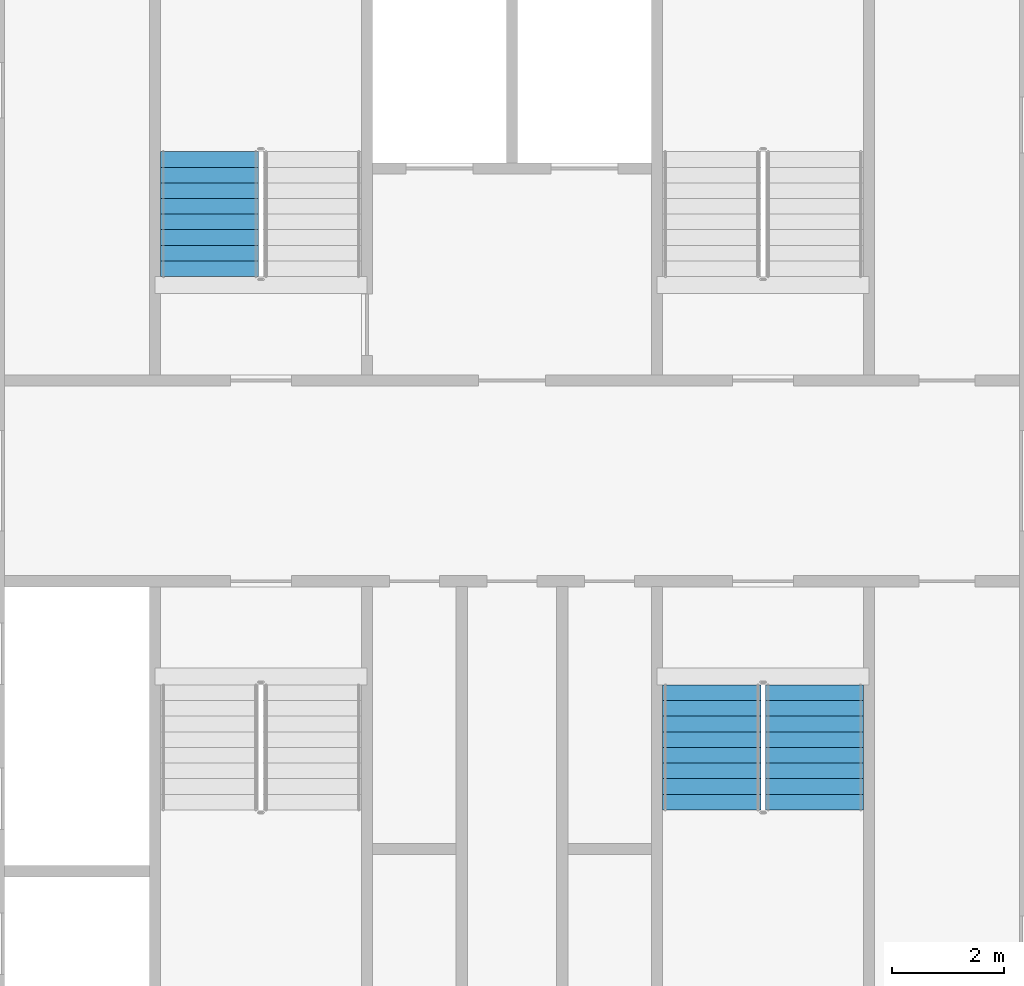
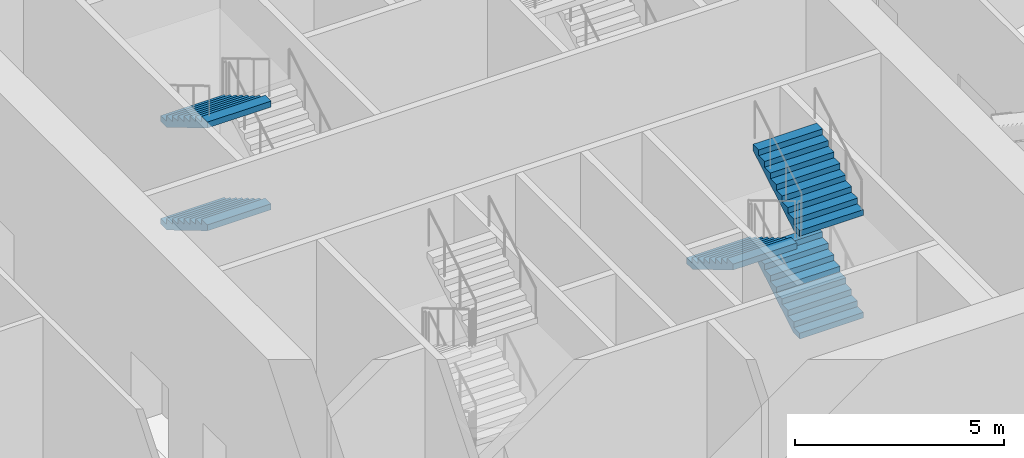
# One storey, part 32 of 48: 5 stair flights, 2 elements without a shape of their own.
"""IFC4 building model written with IfcOpenShell, lengths in metres."""

import ifcopenshell
import ifcopenshell.guid

model = None  # the IFC model being written
_history = None  # IfcOwnerHistory: only IFC2X3 demands one
_inside = {}  # id of a spatial element -> (the spatial element, [elements in it])
_under = {}  # id of a project, library or spatial element -> (it, [spatial elements below it])
_declared = {}  # id of a project -> (the project, [libraries it declares])
_typed = {}  # id of a type object -> (the type object, [elements of that type])
_made_of = {}  # id of a material, layer set ... -> (it, [elements and type objects made of it])


def new_model(schema):
    """Start an empty IFC model of exactly this schema.

    Asked for "IFC4X3", IfcOpenShell would pick the latest addendum, in which some entities
    have other attributes; the version numbers below select the first issue.
    IFC2X3 requires an IfcOwnerHistory on every rooted entity: one is made here for all.
    """
    global model, _history
    if schema == "IFC4X3":
        model = ifcopenshell.file(schema_version=(4, 3, 0, 0))
    else:
        model = ifcopenshell.file(schema=schema)
    _inside.clear()
    _under.clear()
    _declared.clear()
    _typed.clear()
    _made_of.clear()
    _history = None
    if model.schema == "IFC2X3":
        org = make("IfcOrganization", Name="unknown")
        user = make(
            "IfcPersonAndOrganization",
            ThePerson=make("IfcPerson", FamilyName="unknown"),
            TheOrganization=org,
        )
        app = make(
            "IfcApplication",
            ApplicationDeveloper=org,
            Version="unknown",
            ApplicationFullName="unknown",
            ApplicationIdentifier="unknown",
        )
        _history = make(
            "IfcOwnerHistory",
            OwningUser=user,
            OwningApplication=app,
            ChangeAction="ADDED",
            CreationDate=0,
        )
    return model


def make(cls, **values):
    """One entity of the class cls with the attributes given. An attribute that is None is left unset."""
    return model.create_entity(
        cls, **{name: value for name, value in values.items() if value is not None}
    )


def rooted(cls, **values):
    """An entity with a GlobalId (a new one), such as an element, a storey or a relation."""
    return make(cls, GlobalId=ifcopenshell.guid.new(), OwnerHistory=_history, **values)


def si_unit(unit_type, name, prefix=None):
    """IfcSIUnit, for example si_unit("LENGTHUNIT", "METRE", prefix="MILLI")."""
    return make("IfcSIUnit", UnitType=unit_type, Prefix=prefix, Name=name)


def assignment(units):
    """IfcUnitAssignment: the units of a project."""
    return None if units is None else make("IfcUnitAssignment", Units=units)


def point(xyz):
    """IfcCartesianPoint."""
    return None if xyz is None else make("IfcCartesianPoint", Coordinates=xyz)


def direction(xyz):
    """IfcDirection."""
    return None if xyz is None else make("IfcDirection", DirectionRatios=xyz)


def frame(location, z_axis=None, x_axis=None):
    """IfcAxis2Placement3D, a coordinate frame: its origin and axes. An axis left out is left unset."""
    return make(
        "IfcAxis2Placement3D",
        Location=point(location),
        Axis=direction(z_axis),
        RefDirection=direction(x_axis),
    )


def origin():
    """The frame at (0, 0, 0) with its axes left unset."""
    return frame((0.0, 0.0, 0.0))


def place(relative_to, where):
    """IfcLocalPlacement: puts the frame where relative to a parent placement (None: the world)."""
    return make(
        "IfcLocalPlacement", PlacementRelTo=relative_to, RelativePlacement=where
    )


def context(
    kind, dimensions, precision=None, world=None, true_north=None, identifier=None
):
    """IfcGeometricRepresentationContext, for example the 3D "Model" context."""
    return make(
        "IfcGeometricRepresentationContext",
        ContextIdentifier=identifier,
        ContextType=kind,
        CoordinateSpaceDimension=dimensions,
        Precision=precision,
        WorldCoordinateSystem=world,
        TrueNorth=true_north,
    )


def subcontext(parent, identifier, kind, view, scale=None):
    """IfcGeometricRepresentationSubContext, for example "Body" below "Model"."""
    return make(
        "IfcGeometricRepresentationSubContext",
        ContextIdentifier=identifier,
        ContextType=kind,
        ParentContext=parent,
        TargetScale=scale,
        TargetView=view,
    )


def project(units=None, contexts=None):
    """IfcProject with its units and contexts."""
    return rooted(
        "IfcProject",
        Name="project",
        RepresentationContexts=contexts,
        UnitsInContext=assignment(units),
    )


def spatial(cls, under=None, at=None, **own):
    """A site, building, storey or space (cls), placed at a placement, below another one or the project."""
    s = rooted(cls, ObjectPlacement=at, **own)
    if under is not None:
        _under.setdefault(under.id(), (under, []))[1].append(s)
    return s


def faces_of(points, faces, orient=None, outer=None):
    """IfcFace entities. A face is a list of loops; a loop is a list of indices into points, from 0.

    orient and outer hold one flag for each loop. By default every Orientation is true, the
    first loop of a face is its IfcFaceOuterBound and the others are IfcFaceBound.
    """
    made = []
    for i, loops in enumerate(faces):
        bounds = []
        for j, loop in enumerate(loops):
            is_outer = j == 0 if outer is None else outer[i][j]
            bounds.append(
                make(
                    "IfcFaceOuterBound" if is_outer else "IfcFaceBound",
                    Bound=make("IfcPolyLoop", Polygon=[points[k] for k in loop]),
                    Orientation=True if orient is None else orient[i][j],
                )
            )
        made.append(make("IfcFace", Bounds=bounds))
    return made


def faceted_brep(points, faces, orient=None, outer=None, voids=None):
    """IfcFacetedBrep: a solid bounded by flat faces; with voids (closed shells), ...WithVoids."""
    shared = [point(p) for p in points]
    hull = make("IfcClosedShell", CfsFaces=faces_of(shared, faces, orient, outer))
    if voids is None:
        return make("IfcFacetedBrep", Outer=hull)
    return make(
        "IfcFacetedBrepWithVoids",
        Outer=hull,
        Voids=[
            make(cls, CfsFaces=faces_of(shared, fs, o, b)) for cls, fs, o, b in voids
        ],
    )


def shape(context_of_items, identifier, shape_type, items):
    """IfcShapeRepresentation: the items that make up one representation, for example the "Body"."""
    return make(
        "IfcShapeRepresentation",
        ContextOfItems=context_of_items,
        RepresentationIdentifier=identifier,
        RepresentationType=shape_type,
        Items=items,
    )


def material(Name=None, Category=None):
    """IfcMaterial."""
    return make("IfcMaterial", Name=Name, Category=Category)


def made_of(thing, what):
    """Note that an element or type object is made of a material, layer set ...; save() writes the relation."""
    if what is not None:
        _made_of.setdefault(what.id(), (what, []))[1].append(thing)
    return thing


def type_object(cls, material=None, **own):
    """A type object (cls), such as IfcWallType, which elements share."""
    return made_of(rooted(cls, **own), material)


def element(
    cls,
    number,
    at=None,
    inside=None,
    cuts=None,
    type_object=None,
    material=None,
    context=None,
    identifier="Body",
    shape_type=None,
    held_by="IfcProductDefinitionShape",
    body=None,
    shapes=None,
    **own,
):
    """One element of the class cls, such as IfcWall. Its Tag is "e" and its number.

    at: its placement. inside: the storey or other place that contains it. cuts: it is an
    opening in that element (IfcRelVoidsElement). A single representation is given by context,
    identifier, shape_type and body (its items); several are given by shapes. held_by: the class
    of the entity that holds the representations. save() writes the other relations.
    """
    e = rooted(cls, Tag="e%d" % number, ObjectPlacement=at, **own)
    if body is not None:
        shapes = [shape(context, identifier, shape_type, body)]
    if shapes is not None:
        e.Representation = make(held_by, Representations=shapes)
    if inside is not None:
        _inside.setdefault(inside.id(), (inside, []))[1].append(e)
    if cuts is not None:
        rooted(
            "IfcRelVoidsElement", RelatingBuildingElement=cuts, RelatedOpeningElement=e
        )
    if type_object is not None:
        _typed.setdefault(type_object.id(), (type_object, []))[1].append(e)
    return made_of(e, material)


def aggregate(whole, parts):
    """IfcRelAggregates: a whole, such as a stair, and the parts it consists of."""
    return rooted("IfcRelAggregates", RelatingObject=whole, RelatedObjects=parts)


def save(model, path):
    """Write the relations noted so far, then the file.

    IfcRelAggregates (storeys below a building ...), IfcRelContainedInSpatialStructure (elements
    in a storey), IfcRelDefinesByType, IfcRelAssociatesMaterial and IfcRelDeclares: one each for
    every whole, place, type object, material and project.
    """
    for whole, parts in _under.values():
        aggregate(whole, parts)
    for where, things in _inside.values():
        rooted(
            "IfcRelContainedInSpatialStructure",
            RelatedElements=things,
            RelatingStructure=where,
        )
    for kind, things in _typed.values():
        rooted("IfcRelDefinesByType", RelatedObjects=things, RelatingType=kind)
    for what, things in _made_of.values():
        rooted("IfcRelAssociatesMaterial", RelatedObjects=things, RelatingMaterial=what)
    for by, libraries in _declared.values():
        rooted("IfcRelDeclares", RelatingContext=by, RelatedDefinitions=libraries)
    model.write(path)


model = new_model("IFC4")

# Units and contexts
model_context = context("Model", 3, precision=1e-05, world=origin(), true_north=direction((0.0, 1.0)))
body_context = subcontext(model_context, "Body", "Model", "MODEL_VIEW")
ifc_project = project(units=[si_unit("LENGTHUNIT", "METRE"), si_unit("AREAUNIT", "SQUARE_METRE"), si_unit("VOLUMEUNIT", "CUBIC_METRE"), si_unit("PLANEANGLEUNIT", "RADIAN"), si_unit("MASSUNIT", "GRAM", prefix="KILO")], contexts=[model_context])

# Site, building, storey
site_placement = place(None, origin())
site = spatial("IfcSite", under=ifc_project, at=site_placement, CompositionType="ELEMENT")
building_placement = place(site_placement, origin())
building = spatial("IfcBuilding", under=site, at=building_placement, Name="Tarsis Ring Headquarters", CompositionType="ELEMENT")
storey_placement = place(building_placement, frame((0.0, 0.0, 34.0)))
storey = spatial("IfcBuildingStorey", under=building, at=storey_placement, Name="L06", CompositionType="ELEMENT", Elevation=34.0)

# Stair, stair flights
ifc_material_1 = material(Name="Core stair 1760")
stair_type = type_object("IfcStairType", Name="Core stair 1760", PredefinedType="HALF_TURN_STAIR", material=ifc_material_1)
stair_1_placement = place(storey_placement, origin())
stair_1 = element("IfcStair", 1, at=stair_1_placement, inside=storey, type_object=stair_type, Name="L06 Firefighting stair", PredefinedType="HALF_TURN_STAIR")
ifc_material_2 = material(Name="Concrete C40/50", Category="concrete")
stair_flight_type = type_object("IfcStairFlightType", Name="Core stair flight 1760", PredefinedType="STRAIGHT", material=ifc_material_2)
stair_flight_1_placement = place(storey_placement, frame((-5.419921875, 5.89990234375, 1.5), z_axis=(0.0, 0.0, 1.0), x_axis=(0.0, -1.0, 0.0)))
stair_flight_1 = element("IfcStairFlight", 2, at=stair_flight_1_placement, type_object=stair_flight_type, Name="Stair ST1 flight 2", NumberOfRisers=9, NumberOfTreads=8, PredefinedType="STRAIGHT", RiserHeight=0.166666667, TreadLength=0.28, context=body_context, shape_type="Brep", body=[
    faceted_brep([(0.0, 0.8798828125, 0.0), (0.0, 0.8798828125, 0.166748046875), (0.280029296875, 0.8798828125, 0.166748046875), (0.280029296875, 0.8798828125, 0.333251953125), (0.56005859375, 0.8798828125, 0.333251953125), (0.56005859375, 0.8798828125, 0.5), (0.840087890625, 0.8798828125, 0.5), (0.840087890625, 0.8798828125, 0.666748046875), (1.1201171875, 0.8798828125, 0.666748046875), (1.1201171875, 0.8798828125, 0.833251953125), (1.39990234375, 0.8798828125, 0.833251953125), (1.39990234375, 0.8798828125, 1.0), (1.679931640625, 0.8798828125, 1.0), (1.679931640625, 0.8798828125, 1.166748046875), (1.9599609375, 0.8798828125, 1.166748046875), (1.9599609375, 0.8798828125, 1.333251953125), (2.239990234375, 0.8798828125, 1.333251953125), (2.239990234375, 0.8798828125, 1.158935546875), (0.29296875, 0.8798828125, 0.0), (0.29296875, -0.8798828125, 0.0), (2.239990234375, -0.8798828125, 1.158935546875), (2.239990234375, -0.8798828125, 1.333251953125), (1.9599609375, -0.8798828125, 1.333251953125), (1.9599609375, -0.8798828125, 1.166748046875), (1.679931640625, -0.8798828125, 1.166748046875), (1.679931640625, -0.8798828125, 1.0), (1.39990234375, -0.8798828125, 1.0), (1.39990234375, -0.8798828125, 0.833251953125), (1.1201171875, -0.8798828125, 0.833251953125), (1.1201171875, -0.8798828125, 0.666748046875), (0.840087890625, -0.8798828125, 0.666748046875), (0.840087890625, -0.8798828125, 0.5), (0.56005859375, -0.8798828125, 0.5), (0.56005859375, -0.8798828125, 0.333251953125), (0.280029296875, -0.8798828125, 0.333251953125), (0.280029296875, -0.8798828125, 0.166748046875), (0.0, -0.8798828125, 0.166748046875), (0.0, -0.8798828125, 0.0), (0.0, -0.43994140625, 0.166748046875), (0.0, -0.43994140625, 0.0), (0.0, 0.0, 0.166748046875), (0.0, 0.0, 0.0), (0.0, 0.43994140625, 0.166748046875), (0.0, 0.43994140625, 0.0), (0.280029296875, -0.43994140625, 0.166748046875), (0.280029296875, 0.0, 0.166748046875), (0.280029296875, 0.43994140625, 0.166748046875), (0.280029296875, -0.43994140625, 0.333251953125), (0.280029296875, 0.0, 0.333251953125), (0.280029296875, 0.43994140625, 0.333251953125), (0.56005859375, -0.43994140625, 0.333251953125), (0.56005859375, 0.0, 0.333251953125), (0.56005859375, 0.43994140625, 0.333251953125), (0.56005859375, -0.43994140625, 0.5), (0.56005859375, 0.0, 0.5), (0.56005859375, 0.43994140625, 0.5), (0.840087890625, -0.43994140625, 0.5), (0.840087890625, 0.0, 0.5), (0.840087890625, 0.43994140625, 0.5), (0.840087890625, -0.43994140625, 0.666748046875), (0.840087890625, 0.0, 0.666748046875), (0.840087890625, 0.43994140625, 0.666748046875), (1.1201171875, -0.43994140625, 0.666748046875), (1.1201171875, 0.0, 0.666748046875), (1.1201171875, 0.43994140625, 0.666748046875), (1.1201171875, -0.43994140625, 0.833251953125), (1.1201171875, 0.0, 0.833251953125), (1.1201171875, 0.43994140625, 0.833251953125), (1.39990234375, -0.43994140625, 0.833251953125), (1.39990234375, 0.0, 0.833251953125), (1.39990234375, 0.43994140625, 0.833251953125), (1.39990234375, -0.43994140625, 1.0), (1.39990234375, 0.0, 1.0), (1.39990234375, 0.43994140625, 1.0), (1.679931640625, -0.43994140625, 1.0), (1.679931640625, 0.0, 1.0), (1.679931640625, 0.43994140625, 1.0), (1.679931640625, -0.43994140625, 1.166748046875), (1.679931640625, 0.0, 1.166748046875), (1.679931640625, 0.43994140625, 1.166748046875), (1.9599609375, -0.43994140625, 1.166748046875), (1.9599609375, 0.0, 1.166748046875), (1.9599609375, 0.43994140625, 1.166748046875), (1.9599609375, -0.43994140625, 1.333251953125), (1.9599609375, 0.0, 1.333251953125), (1.9599609375, 0.43994140625, 1.333251953125), (2.239990234375, -0.43994140625, 1.333251953125), (2.239990234375, 0.0, 1.333251953125), (2.239990234375, 0.43994140625, 1.333251953125), (2.239990234375, -0.43994140625, 1.158935546875), (2.239990234375, 0.0, 1.158935546875), (2.239990234375, 0.43994140625, 1.158935546875), (0.29296875, -0.43994140625, 0.0), (0.29296875, 0.0, 0.0), (0.29296875, 0.43994140625, 0.0)], [[[0, 1, 2, 3, 4, 5, 6, 7, 8, 9, 10, 11, 12, 13, 14, 15, 16, 17, 18]], [[19, 20, 21, 22, 23, 24, 25, 26, 27, 28, 29, 30, 31, 32, 33, 34, 35, 36, 37]], [[37, 36, 38, 39]], [[39, 38, 40, 41]], [[41, 40, 42, 43]], [[43, 42, 1, 0]], [[36, 35, 44, 38]], [[38, 44, 45, 40]], [[40, 45, 46, 42]], [[42, 46, 2, 1]], [[35, 34, 47, 44]], [[44, 47, 48, 45]], [[45, 48, 49, 46]], [[46, 49, 3, 2]], [[34, 33, 50, 47]], [[47, 50, 51, 48]], [[48, 51, 52, 49]], [[49, 52, 4, 3]], [[33, 32, 53, 50]], [[50, 53, 54, 51]], [[51, 54, 55, 52]], [[52, 55, 5, 4]], [[32, 31, 56, 53]], [[53, 56, 57, 54]], [[54, 57, 58, 55]], [[55, 58, 6, 5]], [[31, 30, 59, 56]], [[56, 59, 60, 57]], [[57, 60, 61, 58]], [[58, 61, 7, 6]], [[30, 29, 62, 59]], [[59, 62, 63, 60]], [[60, 63, 64, 61]], [[61, 64, 8, 7]], [[29, 28, 65, 62]], [[62, 65, 66, 63]], [[63, 66, 67, 64]], [[64, 67, 9, 8]], [[28, 27, 68, 65]], [[65, 68, 69, 66]], [[66, 69, 70, 67]], [[67, 70, 10, 9]], [[27, 26, 71, 68]], [[68, 71, 72, 69]], [[69, 72, 73, 70]], [[70, 73, 11, 10]], [[26, 25, 74, 71]], [[71, 74, 75, 72]], [[72, 75, 76, 73]], [[73, 76, 12, 11]], [[25, 24, 77, 74]], [[74, 77, 78, 75]], [[75, 78, 79, 76]], [[76, 79, 13, 12]], [[24, 23, 80, 77]], [[77, 80, 81, 78]], [[78, 81, 82, 79]], [[79, 82, 14, 13]], [[23, 22, 83, 80]], [[80, 83, 84, 81]], [[81, 84, 85, 82]], [[82, 85, 15, 14]], [[22, 21, 86, 83]], [[83, 86, 87, 84]], [[84, 87, 88, 85]], [[85, 88, 16, 15]], [[21, 20, 89, 86]], [[86, 89, 90, 87]], [[87, 90, 91, 88]], [[88, 91, 17, 16]], [[20, 19, 92, 89]], [[89, 92, 93, 90]], [[90, 93, 94, 91]], [[91, 94, 18, 17]], [[19, 37, 39, 92]], [[92, 39, 41, 93]], [[93, 41, 43, 94]], [[94, 43, 0, 18]]]),
])
stair_flight_2_placement = place(storey_placement, frame((-5.419921875, 5.89990234375, 4.5), z_axis=(0.0, 0.0, 1.0), x_axis=(0.0, -1.0, 0.0)))
stair_flight_2 = element("IfcStairFlight", 3, at=stair_flight_2_placement, type_object=stair_flight_type, Name="Stair ST1 flight 4", NumberOfRisers=9, NumberOfTreads=8, PredefinedType="STRAIGHT", RiserHeight=0.166666667, TreadLength=0.28, context=body_context, shape_type="Brep", body=[
    faceted_brep([(0.0, 0.8798828125, 0.0), (0.0, 0.8798828125, 0.166748046875), (0.280029296875, 0.8798828125, 0.166748046875), (0.280029296875, 0.8798828125, 0.333251953125), (0.56005859375, 0.8798828125, 0.333251953125), (0.56005859375, 0.8798828125, 0.5), (0.840087890625, 0.8798828125, 0.5), (0.840087890625, 0.8798828125, 0.666748046875), (1.1201171875, 0.8798828125, 0.666748046875), (1.1201171875, 0.8798828125, 0.833251953125), (1.39990234375, 0.8798828125, 0.833251953125), (1.39990234375, 0.8798828125, 1.0), (1.679931640625, 0.8798828125, 1.0), (1.679931640625, 0.8798828125, 1.166748046875), (1.9599609375, 0.8798828125, 1.166748046875), (1.9599609375, 0.8798828125, 1.333251953125), (2.239990234375, 0.8798828125, 1.333251953125), (2.239990234375, 0.8798828125, 1.158935546875), (0.29296875, 0.8798828125, 0.0), (0.29296875, -0.8798828125, 0.0), (2.239990234375, -0.8798828125, 1.158935546875), (2.239990234375, -0.8798828125, 1.333251953125), (1.9599609375, -0.8798828125, 1.333251953125), (1.9599609375, -0.8798828125, 1.166748046875), (1.679931640625, -0.8798828125, 1.166748046875), (1.679931640625, -0.8798828125, 1.0), (1.39990234375, -0.8798828125, 1.0), (1.39990234375, -0.8798828125, 0.833251953125), (1.1201171875, -0.8798828125, 0.833251953125), (1.1201171875, -0.8798828125, 0.666748046875), (0.840087890625, -0.8798828125, 0.666748046875), (0.840087890625, -0.8798828125, 0.5), (0.56005859375, -0.8798828125, 0.5), (0.56005859375, -0.8798828125, 0.333251953125), (0.280029296875, -0.8798828125, 0.333251953125), (0.280029296875, -0.8798828125, 0.166748046875), (0.0, -0.8798828125, 0.166748046875), (0.0, -0.8798828125, 0.0), (0.0, -0.43994140625, 0.166748046875), (0.0, -0.43994140625, 0.0), (0.0, 0.0, 0.166748046875), (0.0, 0.0, 0.0), (0.0, 0.43994140625, 0.166748046875), (0.0, 0.43994140625, 0.0), (0.280029296875, -0.43994140625, 0.166748046875), (0.280029296875, 0.0, 0.166748046875), (0.280029296875, 0.43994140625, 0.166748046875), (0.280029296875, -0.43994140625, 0.333251953125), (0.280029296875, 0.0, 0.333251953125), (0.280029296875, 0.43994140625, 0.333251953125), (0.56005859375, -0.43994140625, 0.333251953125), (0.56005859375, 0.0, 0.333251953125), (0.56005859375, 0.43994140625, 0.333251953125), (0.56005859375, -0.43994140625, 0.5), (0.56005859375, 0.0, 0.5), (0.56005859375, 0.43994140625, 0.5), (0.840087890625, -0.43994140625, 0.5), (0.840087890625, 0.0, 0.5), (0.840087890625, 0.43994140625, 0.5), (0.840087890625, -0.43994140625, 0.666748046875), (0.840087890625, 0.0, 0.666748046875), (0.840087890625, 0.43994140625, 0.666748046875), (1.1201171875, -0.43994140625, 0.666748046875), (1.1201171875, 0.0, 0.666748046875), (1.1201171875, 0.43994140625, 0.666748046875), (1.1201171875, -0.43994140625, 0.833251953125), (1.1201171875, 0.0, 0.833251953125), (1.1201171875, 0.43994140625, 0.833251953125), (1.39990234375, -0.43994140625, 0.833251953125), (1.39990234375, 0.0, 0.833251953125), (1.39990234375, 0.43994140625, 0.833251953125), (1.39990234375, -0.43994140625, 1.0), (1.39990234375, 0.0, 1.0), (1.39990234375, 0.43994140625, 1.0), (1.679931640625, -0.43994140625, 1.0), (1.679931640625, 0.0, 1.0), (1.679931640625, 0.43994140625, 1.0), (1.679931640625, -0.43994140625, 1.166748046875), (1.679931640625, 0.0, 1.166748046875), (1.679931640625, 0.43994140625, 1.166748046875), (1.9599609375, -0.43994140625, 1.166748046875), (1.9599609375, 0.0, 1.166748046875), (1.9599609375, 0.43994140625, 1.166748046875), (1.9599609375, -0.43994140625, 1.333251953125), (1.9599609375, 0.0, 1.333251953125), (1.9599609375, 0.43994140625, 1.333251953125), (2.239990234375, -0.43994140625, 1.333251953125), (2.239990234375, 0.0, 1.333251953125), (2.239990234375, 0.43994140625, 1.333251953125), (2.239990234375, -0.43994140625, 1.158935546875), (2.239990234375, 0.0, 1.158935546875), (2.239990234375, 0.43994140625, 1.158935546875), (0.29296875, -0.43994140625, 0.0), (0.29296875, 0.0, 0.0), (0.29296875, 0.43994140625, 0.0)], [[[0, 1, 2, 3, 4, 5, 6, 7, 8, 9, 10, 11, 12, 13, 14, 15, 16, 17, 18]], [[19, 20, 21, 22, 23, 24, 25, 26, 27, 28, 29, 30, 31, 32, 33, 34, 35, 36, 37]], [[37, 36, 38, 39]], [[39, 38, 40, 41]], [[41, 40, 42, 43]], [[43, 42, 1, 0]], [[36, 35, 44, 38]], [[38, 44, 45, 40]], [[40, 45, 46, 42]], [[42, 46, 2, 1]], [[35, 34, 47, 44]], [[44, 47, 48, 45]], [[45, 48, 49, 46]], [[46, 49, 3, 2]], [[34, 33, 50, 47]], [[47, 50, 51, 48]], [[48, 51, 52, 49]], [[49, 52, 4, 3]], [[33, 32, 53, 50]], [[50, 53, 54, 51]], [[51, 54, 55, 52]], [[52, 55, 5, 4]], [[32, 31, 56, 53]], [[53, 56, 57, 54]], [[54, 57, 58, 55]], [[55, 58, 6, 5]], [[31, 30, 59, 56]], [[56, 59, 60, 57]], [[57, 60, 61, 58]], [[58, 61, 7, 6]], [[30, 29, 62, 59]], [[59, 62, 63, 60]], [[60, 63, 64, 61]], [[61, 64, 8, 7]], [[29, 28, 65, 62]], [[62, 65, 66, 63]], [[63, 66, 67, 64]], [[64, 67, 9, 8]], [[28, 27, 68, 65]], [[65, 68, 69, 66]], [[66, 69, 70, 67]], [[67, 70, 10, 9]], [[27, 26, 71, 68]], [[68, 71, 72, 69]], [[69, 72, 73, 70]], [[70, 73, 11, 10]], [[26, 25, 74, 71]], [[71, 74, 75, 72]], [[72, 75, 76, 73]], [[73, 76, 12, 11]], [[25, 24, 77, 74]], [[74, 77, 78, 75]], [[75, 78, 79, 76]], [[76, 79, 13, 12]], [[24, 23, 80, 77]], [[77, 80, 81, 78]], [[78, 81, 82, 79]], [[79, 82, 14, 13]], [[23, 22, 83, 80]], [[80, 83, 84, 81]], [[81, 84, 85, 82]], [[82, 85, 15, 14]], [[22, 21, 86, 83]], [[83, 86, 87, 84]], [[84, 87, 88, 85]], [[85, 88, 16, 15]], [[21, 20, 89, 86]], [[86, 89, 90, 87]], [[87, 90, 91, 88]], [[88, 91, 17, 16]], [[20, 19, 92, 89]], [[89, 92, 93, 90]], [[90, 93, 94, 91]], [[91, 94, 18, 17]], [[19, 37, 39, 92]], [[92, 39, 41, 93]], [[93, 41, 43, 94]], [[94, 43, 0, 18]]]),
])
aggregate(stair_1, [stair_flight_1, stair_flight_2])

stair_2_placement = place(storey_placement, origin())
stair_2 = element("IfcStair", 4, at=stair_2_placement, inside=storey, type_object=stair_type, Name="L06 Exit stair D", PredefinedType="HALF_TURN_STAIR")
stair_flight_3_placement = place(storey_placement, frame((5.419921875, -5.89990234375, 1.5), z_axis=(0.0, 0.0, 1.0), x_axis=(0.0, 1.0, 0.0)))
stair_flight_3 = element("IfcStairFlight", 5, at=stair_flight_3_placement, type_object=stair_flight_type, Name="Stair ST4 flight 2", NumberOfRisers=9, NumberOfTreads=8, PredefinedType="STRAIGHT", RiserHeight=0.166666667, TreadLength=0.28, context=body_context, shape_type="Brep", body=[
    faceted_brep([(0.0, 0.8798828125, 0.0), (0.0, 0.8798828125, 0.166748046875), (0.280029296875, 0.8798828125, 0.166748046875), (0.280029296875, 0.8798828125, 0.333251953125), (0.56005859375, 0.8798828125, 0.333251953125), (0.56005859375, 0.8798828125, 0.5), (0.840087890625, 0.8798828125, 0.5), (0.840087890625, 0.8798828125, 0.666748046875), (1.1201171875, 0.8798828125, 0.666748046875), (1.1201171875, 0.8798828125, 0.833251953125), (1.39990234375, 0.8798828125, 0.833251953125), (1.39990234375, 0.8798828125, 1.0), (1.679931640625, 0.8798828125, 1.0), (1.679931640625, 0.8798828125, 1.166748046875), (1.9599609375, 0.8798828125, 1.166748046875), (1.9599609375, 0.8798828125, 1.333251953125), (2.239990234375, 0.8798828125, 1.333251953125), (2.239990234375, 0.8798828125, 1.158935546875), (0.29296875, 0.8798828125, 0.0), (0.29296875, -0.8798828125, 0.0), (2.239990234375, -0.8798828125, 1.158935546875), (2.239990234375, -0.8798828125, 1.333251953125), (1.9599609375, -0.8798828125, 1.333251953125), (1.9599609375, -0.8798828125, 1.166748046875), (1.679931640625, -0.8798828125, 1.166748046875), (1.679931640625, -0.8798828125, 1.0), (1.39990234375, -0.8798828125, 1.0), (1.39990234375, -0.8798828125, 0.833251953125), (1.1201171875, -0.8798828125, 0.833251953125), (1.1201171875, -0.8798828125, 0.666748046875), (0.840087890625, -0.8798828125, 0.666748046875), (0.840087890625, -0.8798828125, 0.5), (0.56005859375, -0.8798828125, 0.5), (0.56005859375, -0.8798828125, 0.333251953125), (0.280029296875, -0.8798828125, 0.333251953125), (0.280029296875, -0.8798828125, 0.166748046875), (0.0, -0.8798828125, 0.166748046875), (0.0, -0.8798828125, 0.0), (0.0, -0.43994140625, 0.166748046875), (0.0, -0.43994140625, 0.0), (0.0, 0.0, 0.166748046875), (0.0, 0.0, 0.0), (0.0, 0.43994140625, 0.166748046875), (0.0, 0.43994140625, 0.0), (0.280029296875, -0.43994140625, 0.166748046875), (0.280029296875, 0.0, 0.166748046875), (0.280029296875, 0.43994140625, 0.166748046875), (0.280029296875, -0.43994140625, 0.333251953125), (0.280029296875, 0.0, 0.333251953125), (0.280029296875, 0.43994140625, 0.333251953125), (0.56005859375, -0.43994140625, 0.333251953125), (0.56005859375, 0.0, 0.333251953125), (0.56005859375, 0.43994140625, 0.333251953125), (0.56005859375, -0.43994140625, 0.5), (0.56005859375, 0.0, 0.5), (0.56005859375, 0.43994140625, 0.5), (0.840087890625, -0.43994140625, 0.5), (0.840087890625, 0.0, 0.5), (0.840087890625, 0.43994140625, 0.5), (0.840087890625, -0.43994140625, 0.666748046875), (0.840087890625, 0.0, 0.666748046875), (0.840087890625, 0.43994140625, 0.666748046875), (1.1201171875, -0.43994140625, 0.666748046875), (1.1201171875, 0.0, 0.666748046875), (1.1201171875, 0.43994140625, 0.666748046875), (1.1201171875, -0.43994140625, 0.833251953125), (1.1201171875, 0.0, 0.833251953125), (1.1201171875, 0.43994140625, 0.833251953125), (1.39990234375, -0.43994140625, 0.833251953125), (1.39990234375, 0.0, 0.833251953125), (1.39990234375, 0.43994140625, 0.833251953125), (1.39990234375, -0.43994140625, 1.0), (1.39990234375, 0.0, 1.0), (1.39990234375, 0.43994140625, 1.0), (1.679931640625, -0.43994140625, 1.0), (1.679931640625, 0.0, 1.0), (1.679931640625, 0.43994140625, 1.0), (1.679931640625, -0.43994140625, 1.166748046875), (1.679931640625, 0.0, 1.166748046875), (1.679931640625, 0.43994140625, 1.166748046875), (1.9599609375, -0.43994140625, 1.166748046875), (1.9599609375, 0.0, 1.166748046875), (1.9599609375, 0.43994140625, 1.166748046875), (1.9599609375, -0.43994140625, 1.333251953125), (1.9599609375, 0.0, 1.333251953125), (1.9599609375, 0.43994140625, 1.333251953125), (2.239990234375, -0.43994140625, 1.333251953125), (2.239990234375, 0.0, 1.333251953125), (2.239990234375, 0.43994140625, 1.333251953125), (2.239990234375, -0.43994140625, 1.158935546875), (2.239990234375, 0.0, 1.158935546875), (2.239990234375, 0.43994140625, 1.158935546875), (0.29296875, -0.43994140625, 0.0), (0.29296875, 0.0, 0.0), (0.29296875, 0.43994140625, 0.0)], [[[0, 1, 2, 3, 4, 5, 6, 7, 8, 9, 10, 11, 12, 13, 14, 15, 16, 17, 18]], [[19, 20, 21, 22, 23, 24, 25, 26, 27, 28, 29, 30, 31, 32, 33, 34, 35, 36, 37]], [[37, 36, 38, 39]], [[39, 38, 40, 41]], [[41, 40, 42, 43]], [[43, 42, 1, 0]], [[36, 35, 44, 38]], [[38, 44, 45, 40]], [[40, 45, 46, 42]], [[42, 46, 2, 1]], [[35, 34, 47, 44]], [[44, 47, 48, 45]], [[45, 48, 49, 46]], [[46, 49, 3, 2]], [[34, 33, 50, 47]], [[47, 50, 51, 48]], [[48, 51, 52, 49]], [[49, 52, 4, 3]], [[33, 32, 53, 50]], [[50, 53, 54, 51]], [[51, 54, 55, 52]], [[52, 55, 5, 4]], [[32, 31, 56, 53]], [[53, 56, 57, 54]], [[54, 57, 58, 55]], [[55, 58, 6, 5]], [[31, 30, 59, 56]], [[56, 59, 60, 57]], [[57, 60, 61, 58]], [[58, 61, 7, 6]], [[30, 29, 62, 59]], [[59, 62, 63, 60]], [[60, 63, 64, 61]], [[61, 64, 8, 7]], [[29, 28, 65, 62]], [[62, 65, 66, 63]], [[63, 66, 67, 64]], [[64, 67, 9, 8]], [[28, 27, 68, 65]], [[65, 68, 69, 66]], [[66, 69, 70, 67]], [[67, 70, 10, 9]], [[27, 26, 71, 68]], [[68, 71, 72, 69]], [[69, 72, 73, 70]], [[70, 73, 11, 10]], [[26, 25, 74, 71]], [[71, 74, 75, 72]], [[72, 75, 76, 73]], [[73, 76, 12, 11]], [[25, 24, 77, 74]], [[74, 77, 78, 75]], [[75, 78, 79, 76]], [[76, 79, 13, 12]], [[24, 23, 80, 77]], [[77, 80, 81, 78]], [[78, 81, 82, 79]], [[79, 82, 14, 13]], [[23, 22, 83, 80]], [[80, 83, 84, 81]], [[81, 84, 85, 82]], [[82, 85, 15, 14]], [[22, 21, 86, 83]], [[83, 86, 87, 84]], [[84, 87, 88, 85]], [[85, 88, 16, 15]], [[21, 20, 89, 86]], [[86, 89, 90, 87]], [[87, 90, 91, 88]], [[88, 91, 17, 16]], [[20, 19, 92, 89]], [[89, 92, 93, 90]], [[90, 93, 94, 91]], [[91, 94, 18, 17]], [[19, 37, 39, 92]], [[92, 39, 41, 93]], [[93, 41, 43, 94]], [[94, 43, 0, 18]]]),
])
stair_flight_4_placement = place(storey_placement, frame((3.580078125, -3.659912109375, 3.0), z_axis=(0.0, 0.0, 1.0), x_axis=(0.0, -1.0, 0.0)))
stair_flight_4 = element("IfcStairFlight", 6, at=stair_flight_4_placement, type_object=stair_flight_type, Name="Stair ST4 flight 3", NumberOfRisers=9, NumberOfTreads=8, PredefinedType="STRAIGHT", RiserHeight=0.166666667, TreadLength=0.28, context=body_context, shape_type="Brep", body=[
    faceted_brep([(0.0, 0.8798828125, 0.0), (0.0, 0.8798828125, 0.166748046875), (0.280029296875, 0.8798828125, 0.166748046875), (0.280029296875, 0.8798828125, 0.333251953125), (0.56005859375, 0.8798828125, 0.333251953125), (0.56005859375, 0.8798828125, 0.5), (0.840087890625, 0.8798828125, 0.5), (0.840087890625, 0.8798828125, 0.666748046875), (1.1201171875, 0.8798828125, 0.666748046875), (1.1201171875, 0.8798828125, 0.833251953125), (1.39990234375, 0.8798828125, 0.833251953125), (1.39990234375, 0.8798828125, 1.0), (1.679931640625, 0.8798828125, 1.0), (1.679931640625, 0.8798828125, 1.166748046875), (1.9599609375, 0.8798828125, 1.166748046875), (1.9599609375, 0.8798828125, 1.333251953125), (2.239990234375, 0.8798828125, 1.333251953125), (2.239990234375, 0.8798828125, 1.158935546875), (0.29296875, 0.8798828125, 0.0), (0.29296875, -0.8798828125, 0.0), (2.239990234375, -0.8798828125, 1.158935546875), (2.239990234375, -0.8798828125, 1.333251953125), (1.9599609375, -0.8798828125, 1.333251953125), (1.9599609375, -0.8798828125, 1.166748046875), (1.679931640625, -0.8798828125, 1.166748046875), (1.679931640625, -0.8798828125, 1.0), (1.39990234375, -0.8798828125, 1.0), (1.39990234375, -0.8798828125, 0.833251953125), (1.1201171875, -0.8798828125, 0.833251953125), (1.1201171875, -0.8798828125, 0.666748046875), (0.840087890625, -0.8798828125, 0.666748046875), (0.840087890625, -0.8798828125, 0.5), (0.56005859375, -0.8798828125, 0.5), (0.56005859375, -0.8798828125, 0.333251953125), (0.280029296875, -0.8798828125, 0.333251953125), (0.280029296875, -0.8798828125, 0.166748046875), (0.0, -0.8798828125, 0.166748046875), (0.0, -0.8798828125, 0.0), (0.0, -0.43994140625, 0.166748046875), (0.0, -0.43994140625, 0.0), (0.0, 0.0, 0.166748046875), (0.0, 0.0, 0.0), (0.0, 0.43994140625, 0.166748046875), (0.0, 0.43994140625, 0.0), (0.280029296875, -0.43994140625, 0.166748046875), (0.280029296875, 0.0, 0.166748046875), (0.280029296875, 0.43994140625, 0.166748046875), (0.280029296875, -0.43994140625, 0.333251953125), (0.280029296875, 0.0, 0.333251953125), (0.280029296875, 0.43994140625, 0.333251953125), (0.56005859375, -0.43994140625, 0.333251953125), (0.56005859375, 0.0, 0.333251953125), (0.56005859375, 0.43994140625, 0.333251953125), (0.56005859375, -0.43994140625, 0.5), (0.56005859375, 0.0, 0.5), (0.56005859375, 0.43994140625, 0.5), (0.840087890625, -0.43994140625, 0.5), (0.840087890625, 0.0, 0.5), (0.840087890625, 0.43994140625, 0.5), (0.840087890625, -0.43994140625, 0.666748046875), (0.840087890625, 0.0, 0.666748046875), (0.840087890625, 0.43994140625, 0.666748046875), (1.1201171875, -0.43994140625, 0.666748046875), (1.1201171875, 0.0, 0.666748046875), (1.1201171875, 0.43994140625, 0.666748046875), (1.1201171875, -0.43994140625, 0.833251953125), (1.1201171875, 0.0, 0.833251953125), (1.1201171875, 0.43994140625, 0.833251953125), (1.39990234375, -0.43994140625, 0.833251953125), (1.39990234375, 0.0, 0.833251953125), (1.39990234375, 0.43994140625, 0.833251953125), (1.39990234375, -0.43994140625, 1.0), (1.39990234375, 0.0, 1.0), (1.39990234375, 0.43994140625, 1.0), (1.679931640625, -0.43994140625, 1.0), (1.679931640625, 0.0, 1.0), (1.679931640625, 0.43994140625, 1.0), (1.679931640625, -0.43994140625, 1.166748046875), (1.679931640625, 0.0, 1.166748046875), (1.679931640625, 0.43994140625, 1.166748046875), (1.9599609375, -0.43994140625, 1.166748046875), (1.9599609375, 0.0, 1.166748046875), (1.9599609375, 0.43994140625, 1.166748046875), (1.9599609375, -0.43994140625, 1.333251953125), (1.9599609375, 0.0, 1.333251953125), (1.9599609375, 0.43994140625, 1.333251953125), (2.239990234375, -0.43994140625, 1.333251953125), (2.239990234375, 0.0, 1.333251953125), (2.239990234375, 0.43994140625, 1.333251953125), (2.239990234375, -0.43994140625, 1.158935546875), (2.239990234375, 0.0, 1.158935546875), (2.239990234375, 0.43994140625, 1.158935546875), (0.29296875, -0.43994140625, 0.0), (0.29296875, 0.0, 0.0), (0.29296875, 0.43994140625, 0.0)], [[[0, 1, 2, 3, 4, 5, 6, 7, 8, 9, 10, 11, 12, 13, 14, 15, 16, 17, 18]], [[19, 20, 21, 22, 23, 24, 25, 26, 27, 28, 29, 30, 31, 32, 33, 34, 35, 36, 37]], [[37, 36, 38, 39]], [[39, 38, 40, 41]], [[41, 40, 42, 43]], [[43, 42, 1, 0]], [[36, 35, 44, 38]], [[38, 44, 45, 40]], [[40, 45, 46, 42]], [[42, 46, 2, 1]], [[35, 34, 47, 44]], [[44, 47, 48, 45]], [[45, 48, 49, 46]], [[46, 49, 3, 2]], [[34, 33, 50, 47]], [[47, 50, 51, 48]], [[48, 51, 52, 49]], [[49, 52, 4, 3]], [[33, 32, 53, 50]], [[50, 53, 54, 51]], [[51, 54, 55, 52]], [[52, 55, 5, 4]], [[32, 31, 56, 53]], [[53, 56, 57, 54]], [[54, 57, 58, 55]], [[55, 58, 6, 5]], [[31, 30, 59, 56]], [[56, 59, 60, 57]], [[57, 60, 61, 58]], [[58, 61, 7, 6]], [[30, 29, 62, 59]], [[59, 62, 63, 60]], [[60, 63, 64, 61]], [[61, 64, 8, 7]], [[29, 28, 65, 62]], [[62, 65, 66, 63]], [[63, 66, 67, 64]], [[64, 67, 9, 8]], [[28, 27, 68, 65]], [[65, 68, 69, 66]], [[66, 69, 70, 67]], [[67, 70, 10, 9]], [[27, 26, 71, 68]], [[68, 71, 72, 69]], [[69, 72, 73, 70]], [[70, 73, 11, 10]], [[26, 25, 74, 71]], [[71, 74, 75, 72]], [[72, 75, 76, 73]], [[73, 76, 12, 11]], [[25, 24, 77, 74]], [[74, 77, 78, 75]], [[75, 78, 79, 76]], [[76, 79, 13, 12]], [[24, 23, 80, 77]], [[77, 80, 81, 78]], [[78, 81, 82, 79]], [[79, 82, 14, 13]], [[23, 22, 83, 80]], [[80, 83, 84, 81]], [[81, 84, 85, 82]], [[82, 85, 15, 14]], [[22, 21, 86, 83]], [[83, 86, 87, 84]], [[84, 87, 88, 85]], [[85, 88, 16, 15]], [[21, 20, 89, 86]], [[86, 89, 90, 87]], [[87, 90, 91, 88]], [[88, 91, 17, 16]], [[20, 19, 92, 89]], [[89, 92, 93, 90]], [[90, 93, 94, 91]], [[91, 94, 18, 17]], [[19, 37, 39, 92]], [[92, 39, 41, 93]], [[93, 41, 43, 94]], [[94, 43, 0, 18]]]),
])
stair_flight_5_placement = place(storey_placement, frame((5.419921875, -5.89990234375, 4.5), z_axis=(0.0, 0.0, 1.0), x_axis=(0.0, 1.0, 0.0)))
stair_flight_5 = element("IfcStairFlight", 7, at=stair_flight_5_placement, type_object=stair_flight_type, Name="Stair ST4 flight 4", NumberOfRisers=9, NumberOfTreads=8, PredefinedType="STRAIGHT", RiserHeight=0.166666667, TreadLength=0.28, context=body_context, shape_type="Brep", body=[
    faceted_brep([(0.0, 0.8798828125, 0.0), (0.0, 0.8798828125, 0.166748046875), (0.280029296875, 0.8798828125, 0.166748046875), (0.280029296875, 0.8798828125, 0.333251953125), (0.56005859375, 0.8798828125, 0.333251953125), (0.56005859375, 0.8798828125, 0.5), (0.840087890625, 0.8798828125, 0.5), (0.840087890625, 0.8798828125, 0.666748046875), (1.1201171875, 0.8798828125, 0.666748046875), (1.1201171875, 0.8798828125, 0.833251953125), (1.39990234375, 0.8798828125, 0.833251953125), (1.39990234375, 0.8798828125, 1.0), (1.679931640625, 0.8798828125, 1.0), (1.679931640625, 0.8798828125, 1.166748046875), (1.9599609375, 0.8798828125, 1.166748046875), (1.9599609375, 0.8798828125, 1.333251953125), (2.239990234375, 0.8798828125, 1.333251953125), (2.239990234375, 0.8798828125, 1.158935546875), (0.29296875, 0.8798828125, 0.0), (0.29296875, -0.8798828125, 0.0), (2.239990234375, -0.8798828125, 1.158935546875), (2.239990234375, -0.8798828125, 1.333251953125), (1.9599609375, -0.8798828125, 1.333251953125), (1.9599609375, -0.8798828125, 1.166748046875), (1.679931640625, -0.8798828125, 1.166748046875), (1.679931640625, -0.8798828125, 1.0), (1.39990234375, -0.8798828125, 1.0), (1.39990234375, -0.8798828125, 0.833251953125), (1.1201171875, -0.8798828125, 0.833251953125), (1.1201171875, -0.8798828125, 0.666748046875), (0.840087890625, -0.8798828125, 0.666748046875), (0.840087890625, -0.8798828125, 0.5), (0.56005859375, -0.8798828125, 0.5), (0.56005859375, -0.8798828125, 0.333251953125), (0.280029296875, -0.8798828125, 0.333251953125), (0.280029296875, -0.8798828125, 0.166748046875), (0.0, -0.8798828125, 0.166748046875), (0.0, -0.8798828125, 0.0), (0.0, -0.43994140625, 0.166748046875), (0.0, -0.43994140625, 0.0), (0.0, 0.0, 0.166748046875), (0.0, 0.0, 0.0), (0.0, 0.43994140625, 0.166748046875), (0.0, 0.43994140625, 0.0), (0.280029296875, -0.43994140625, 0.166748046875), (0.280029296875, 0.0, 0.166748046875), (0.280029296875, 0.43994140625, 0.166748046875), (0.280029296875, -0.43994140625, 0.333251953125), (0.280029296875, 0.0, 0.333251953125), (0.280029296875, 0.43994140625, 0.333251953125), (0.56005859375, -0.43994140625, 0.333251953125), (0.56005859375, 0.0, 0.333251953125), (0.56005859375, 0.43994140625, 0.333251953125), (0.56005859375, -0.43994140625, 0.5), (0.56005859375, 0.0, 0.5), (0.56005859375, 0.43994140625, 0.5), (0.840087890625, -0.43994140625, 0.5), (0.840087890625, 0.0, 0.5), (0.840087890625, 0.43994140625, 0.5), (0.840087890625, -0.43994140625, 0.666748046875), (0.840087890625, 0.0, 0.666748046875), (0.840087890625, 0.43994140625, 0.666748046875), (1.1201171875, -0.43994140625, 0.666748046875), (1.1201171875, 0.0, 0.666748046875), (1.1201171875, 0.43994140625, 0.666748046875), (1.1201171875, -0.43994140625, 0.833251953125), (1.1201171875, 0.0, 0.833251953125), (1.1201171875, 0.43994140625, 0.833251953125), (1.39990234375, -0.43994140625, 0.833251953125), (1.39990234375, 0.0, 0.833251953125), (1.39990234375, 0.43994140625, 0.833251953125), (1.39990234375, -0.43994140625, 1.0), (1.39990234375, 0.0, 1.0), (1.39990234375, 0.43994140625, 1.0), (1.679931640625, -0.43994140625, 1.0), (1.679931640625, 0.0, 1.0), (1.679931640625, 0.43994140625, 1.0), (1.679931640625, -0.43994140625, 1.166748046875), (1.679931640625, 0.0, 1.166748046875), (1.679931640625, 0.43994140625, 1.166748046875), (1.9599609375, -0.43994140625, 1.166748046875), (1.9599609375, 0.0, 1.166748046875), (1.9599609375, 0.43994140625, 1.166748046875), (1.9599609375, -0.43994140625, 1.333251953125), (1.9599609375, 0.0, 1.333251953125), (1.9599609375, 0.43994140625, 1.333251953125), (2.239990234375, -0.43994140625, 1.333251953125), (2.239990234375, 0.0, 1.333251953125), (2.239990234375, 0.43994140625, 1.333251953125), (2.239990234375, -0.43994140625, 1.158935546875), (2.239990234375, 0.0, 1.158935546875), (2.239990234375, 0.43994140625, 1.158935546875), (0.29296875, -0.43994140625, 0.0), (0.29296875, 0.0, 0.0), (0.29296875, 0.43994140625, 0.0)], [[[0, 1, 2, 3, 4, 5, 6, 7, 8, 9, 10, 11, 12, 13, 14, 15, 16, 17, 18]], [[19, 20, 21, 22, 23, 24, 25, 26, 27, 28, 29, 30, 31, 32, 33, 34, 35, 36, 37]], [[37, 36, 38, 39]], [[39, 38, 40, 41]], [[41, 40, 42, 43]], [[43, 42, 1, 0]], [[36, 35, 44, 38]], [[38, 44, 45, 40]], [[40, 45, 46, 42]], [[42, 46, 2, 1]], [[35, 34, 47, 44]], [[44, 47, 48, 45]], [[45, 48, 49, 46]], [[46, 49, 3, 2]], [[34, 33, 50, 47]], [[47, 50, 51, 48]], [[48, 51, 52, 49]], [[49, 52, 4, 3]], [[33, 32, 53, 50]], [[50, 53, 54, 51]], [[51, 54, 55, 52]], [[52, 55, 5, 4]], [[32, 31, 56, 53]], [[53, 56, 57, 54]], [[54, 57, 58, 55]], [[55, 58, 6, 5]], [[31, 30, 59, 56]], [[56, 59, 60, 57]], [[57, 60, 61, 58]], [[58, 61, 7, 6]], [[30, 29, 62, 59]], [[59, 62, 63, 60]], [[60, 63, 64, 61]], [[61, 64, 8, 7]], [[29, 28, 65, 62]], [[62, 65, 66, 63]], [[63, 66, 67, 64]], [[64, 67, 9, 8]], [[28, 27, 68, 65]], [[65, 68, 69, 66]], [[66, 69, 70, 67]], [[67, 70, 10, 9]], [[27, 26, 71, 68]], [[68, 71, 72, 69]], [[69, 72, 73, 70]], [[70, 73, 11, 10]], [[26, 25, 74, 71]], [[71, 74, 75, 72]], [[72, 75, 76, 73]], [[73, 76, 12, 11]], [[25, 24, 77, 74]], [[74, 77, 78, 75]], [[75, 78, 79, 76]], [[76, 79, 13, 12]], [[24, 23, 80, 77]], [[77, 80, 81, 78]], [[78, 81, 82, 79]], [[79, 82, 14, 13]], [[23, 22, 83, 80]], [[80, 83, 84, 81]], [[81, 84, 85, 82]], [[82, 85, 15, 14]], [[22, 21, 86, 83]], [[83, 86, 87, 84]], [[84, 87, 88, 85]], [[85, 88, 16, 15]], [[21, 20, 89, 86]], [[86, 89, 90, 87]], [[87, 90, 91, 88]], [[88, 91, 17, 16]], [[20, 19, 92, 89]], [[89, 92, 93, 90]], [[90, 93, 94, 91]], [[91, 94, 18, 17]], [[19, 37, 39, 92]], [[92, 39, 41, 93]], [[93, 41, 43, 94]], [[94, 43, 0, 18]]]),
])
aggregate(stair_2, [stair_flight_3, stair_flight_4, stair_flight_5])

save(model, "model.ifc")
